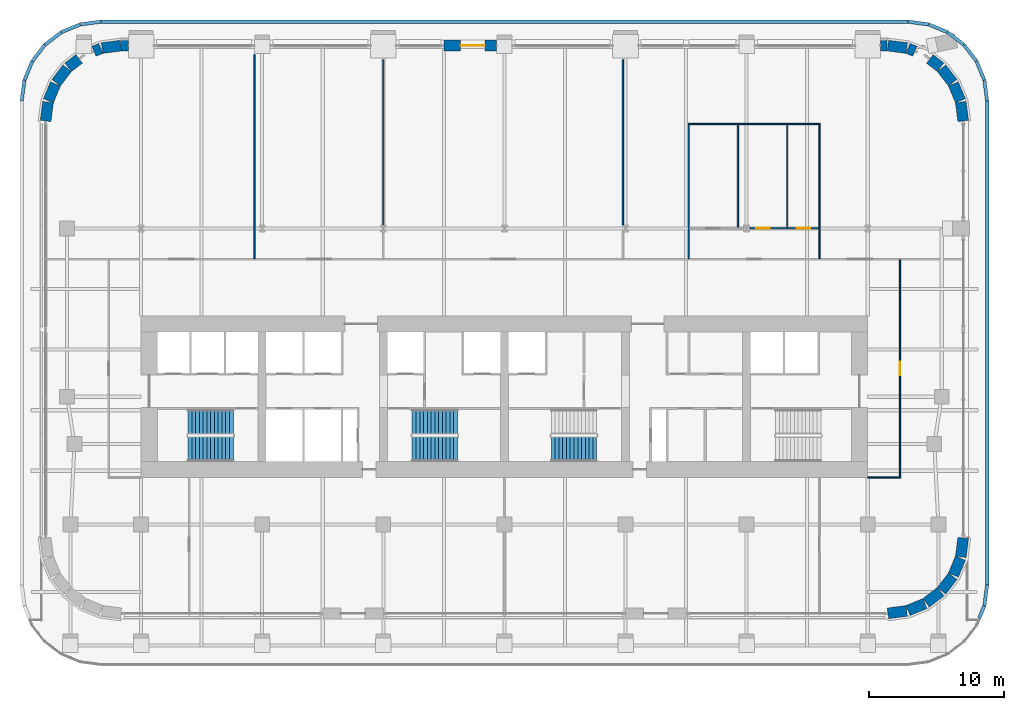
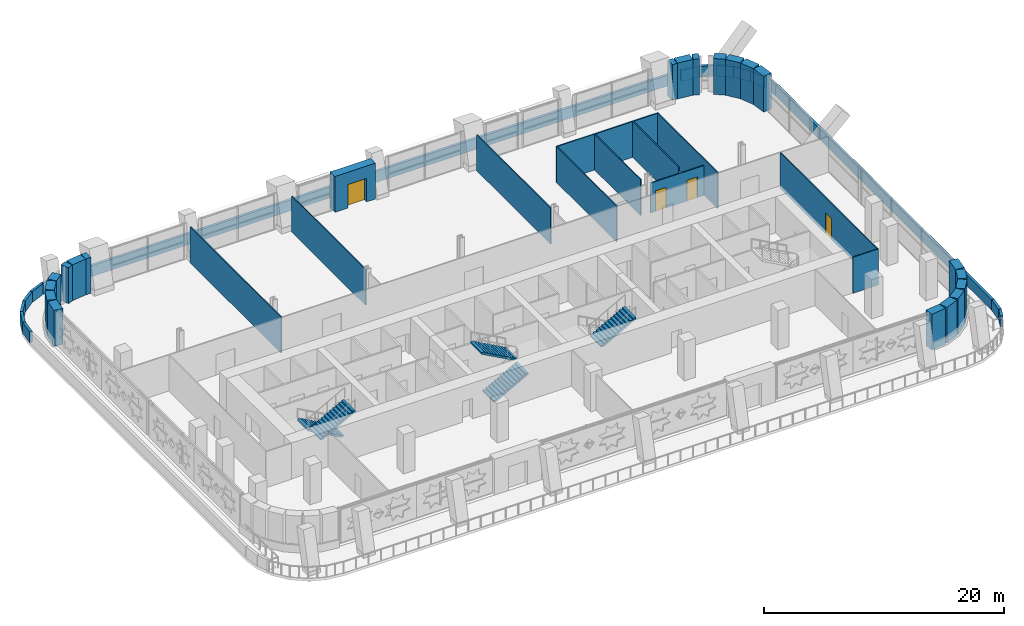
# One storey, part 17 of 26: 48 walls, 5 stair flights, 4 doors, 4 openings, 3 elements without a shape of their own.
"""IFC4 building model written with IfcOpenShell, lengths in metres."""

from ifc_helpers import new_model, si_unit, direction, frame, frame_2d, origin, place, context, subcontext, project, spatial, polyline, rectangle, outline, extrude, material, layer, layer_set, type_object, element, fill, aggregate, save


model = new_model("IFC4")

# Units and contexts
model_context = context("Model", 3, precision=1e-05, world=origin(), true_north=direction((0.0, 1.0)))
body_context = subcontext(model_context, "Body", "Model", "MODEL_VIEW")
ifc_project = project(units=[si_unit("LENGTHUNIT", "METRE"), si_unit("AREAUNIT", "SQUARE_METRE"), si_unit("VOLUMEUNIT", "CUBIC_METRE"), si_unit("PLANEANGLEUNIT", "RADIAN"), si_unit("MASSUNIT", "GRAM", prefix="KILO")], contexts=[model_context])

# Site, building, storey
site_placement = place(None, origin())
site = spatial("IfcSite", under=ifc_project, at=site_placement, CompositionType="ELEMENT")
building_placement = place(site_placement, origin())
building = spatial("IfcBuilding", under=site, at=building_placement, Name="Zellij Exchange Tower", CompositionType="ELEMENT")
storey_placement = place(building_placement, frame((0.0, 0.0, 100.5)))
storey = spatial("IfcBuildingStorey", under=building, at=storey_placement, Name="L21", CompositionType="ELEMENT", Elevation=100.5)

# Walls
ifc_material_1 = material(Name="Precast concrete C40/50", Category="concrete")
ifc_layer_1 = layer(ifc_material_1, 0.800048828125)
ifc_layer_set_1 = layer_set([ifc_layer_1], Name="Precast concrete C40/50")
wall_type_1 = type_object("IfcWallType", Name="ENV-EW1 Precast stone-piered wall 800", PredefinedType="SOLIDWALL", material=ifc_layer_set_1)
wall_1_placement = place(storey_placement, frame((28.499755859375, -24.0966796875, 0.0), z_axis=(0.0, 0.0, 1.0), x_axis=(0.99144603414, 0.130517283865, 0.0)))
element("IfcWall", 1, at=wall_1_placement, inside=storey, type_object=wall_type_1, Name="fac.L21.01", PredefinedType="SOLIDWALL", context=body_context, shape_type="SweptSolid", body=[
    extrude(rectangle(XDim=1.408447265625, YDim=0.800048828125, at=frame_2d((0.7041015625, 0.0))), origin(), (0.0, 0.0, 1.0), 3.64990234375),
])
wall_2_placement = place(storey_placement, frame((29.997314453125, -23.8857421875, 0.0), z_axis=(0.0, 0.0, 1.0), x_axis=(0.923847774587, 0.38276009378, 0.0)))
element("IfcWall", 2, at=wall_2_placement, inside=storey, type_object=wall_type_1, Name="fac.L21.02", PredefinedType="SOLIDWALL", context=body_context, shape_type="SweptSolid", body=[
    extrude(rectangle(XDim=1.35546875, YDim=0.800048828125, at=frame_2d((0.677734375, 0.0))), origin(), (0.0, 0.0, 1.0), 3.64990234375),
])
for number, where, z_axis, x_axis, name in (
    (3, (31.340087890625, -23.314697265625, 0.0), (0.0, 0.0, 1.0), (0.793272915452, 0.608866226366, 0.0), "fac.L21.03"),
    (4, (32.4892578125, -22.41552734375, 0.0), (0.0, 0.0, 1.0), (0.608866226366, 0.793272915452, 0.0), "fac.L21.04"),
):
    element("IfcWall", number, at=place(storey_placement, frame(where, z_axis=z_axis, x_axis=x_axis)), inside=storey, type_object=wall_type_1, Name=name, PredefinedType="SOLIDWALL", context=body_context, shape_type="SweptSolid", body=[
        extrude(rectangle(XDim=1.355712890625, YDim=0.800048828125, at=frame_2d((0.677734375, 0.0))), origin(), (0.0, 0.0, 1.0), 3.64990234375),
    ])
wall_3_placement = place(storey_placement, frame((33.366943359375, -21.24951171875, 0.0), z_axis=(0.0, 0.0, 1.0), x_axis=(0.38276009378, 0.923847774587, 0.0)))
element("IfcWall", 5, at=wall_3_placement, inside=storey, type_object=wall_type_1, Name="fac.L21.05", PredefinedType="SOLIDWALL", context=body_context, shape_type="SweptSolid", body=[
    extrude(rectangle(XDim=1.35546875, YDim=0.800048828125, at=frame_2d((0.677734375, 0.0))), origin(), (0.0, 0.0, 1.0), 3.64990234375),
])
for number, where, z_axis, x_axis, name in (
    (6, (33.912841796875, -19.896240234375, 0.0), (0.0, 0.0, 1.0), (0.130517283865, 0.99144603414, 0.0), "fac.L21.06"),
    (7, (34.0966796875, 12.499755859375, 0.0), (0.0, 0.0, 1.0), (-0.130517283865, 0.99144603414, 0.0), "fac.L21.08"),
):
    element("IfcWall", number, at=place(storey_placement, frame(where, z_axis=z_axis, x_axis=x_axis)), inside=storey, type_object=wall_type_1, Name=name, PredefinedType="SOLIDWALL", context=body_context, shape_type="SweptSolid", body=[
        extrude(rectangle(XDim=1.408447265625, YDim=0.800048828125, at=frame_2d((0.7041015625, 0.0))), origin(), (0.0, 0.0, 1.0), 3.64990234375),
    ])
wall_4_placement = place(storey_placement, frame((33.8857421875, 13.997314453125, 0.0), z_axis=(0.0, 0.0, 1.0), x_axis=(-0.38276009378, 0.923847774587, 0.0)))
element("IfcWall", 8, at=wall_4_placement, inside=storey, type_object=wall_type_1, Name="fac.L21.09", PredefinedType="SOLIDWALL", context=body_context, shape_type="SweptSolid", body=[
    extrude(rectangle(XDim=1.35546875, YDim=0.800048828125, at=frame_2d((0.677734375, 0.0))), origin(), (0.0, 0.0, 1.0), 3.64990234375),
])
wall_5_placement = place(storey_placement, frame((33.314697265625, 15.340087890625, 0.0), z_axis=(0.0, 0.0, 1.0), x_axis=(-0.608866226366, 0.793272915452, 0.0)))
element("IfcWall", 9, at=wall_5_placement, inside=storey, type_object=wall_type_1, Name="fac.L21.10", PredefinedType="SOLIDWALL", context=body_context, shape_type="SweptSolid", body=[
    extrude(rectangle(XDim=1.355712890625, YDim=0.800048828125, at=frame_2d((0.677734375, 0.0))), origin(), (0.0, 0.0, 1.0), 3.64990234375),
])
wall_6_placement = place(storey_placement, frame((32.41552734375, 16.4892578125, 0.0), z_axis=(0.0, 0.0, 1.0), x_axis=(-0.793206378566, 0.608952905406, 0.0)))
element("IfcWall", 10, at=wall_6_placement, inside=storey, type_object=wall_type_1, Name="fac.L21.11", PredefinedType="SOLIDWALL", context=body_context, shape_type="SweptSolid", body=[
    extrude(rectangle(XDim=1.01220703125, YDim=0.800048828125, at=frame_2d((0.506103515625, 0.0))), origin(), (0.0, 0.0, 1.0), 3.64990234375),
])
wall_7_placement = place(storey_placement, frame((30.500732421875, 17.677001953125, 0.0), z_axis=(0.0, 0.0, 1.0), x_axis=(-0.923738247693, 0.383024346158, 0.0)))
element("IfcWall", 11, at=wall_7_placement, inside=storey, type_object=wall_type_1, Name="fac.L21.12", PredefinedType="SOLIDWALL", context=body_context, shape_type="SweptSolid", body=[
    extrude(rectangle(XDim=0.544921875, YDim=0.800048828125, at=frame_2d((0.2724609375, 0.0))), origin(), (0.0, 0.0, 1.0), 3.64990234375),
])
wall_8_placement = place(storey_placement, frame((29.896240234375, 17.912841796875, 0.0), z_axis=(0.0, 0.0, 1.0), x_axis=(-0.99144603414, 0.130517283865, 0.0)))
element("IfcWall", 12, at=wall_8_placement, inside=storey, type_object=wall_type_1, Name="fac.L21.13", PredefinedType="SOLIDWALL", context=body_context, shape_type="SweptSolid", body=[
    extrude(rectangle(XDim=1.408447265625, YDim=0.800048828125, at=frame_2d((0.7041015625, 0.0))), origin(), (0.0, 0.0, 1.0), 3.64990234375),
])
wall_9_placement = place(storey_placement, frame((28.447509765625, 18.10009765625, 0.0), z_axis=(0.0, 0.0, 1.0), x_axis=(-1.0, 0.0, 0.0)))
element("IfcWall", 13, at=wall_9_placement, inside=storey, type_object=wall_type_1, Name="fac.L21.14a", PredefinedType="SOLIDWALL", context=body_context, shape_type="SweptSolid", body=[
    extrude(rectangle(XDim=0.49755859375, YDim=0.800048828125, at=frame_2d((0.248779296875, 0.0))), origin(), (0.0, 0.0, 1.0), 3.64990234375),
])

# Wall, opening, door
wall_10_placement = place(storey_placement, frame((-0.60009765625, 18.10009765625, 0.0), z_axis=(0.0, 0.0, 1.0), x_axis=(-1.0, 0.0, 0.0)))
wall_10 = element("IfcWall", 14, at=wall_10_placement, inside=storey, type_object=wall_type_1, Name="fac.L21.14f", PredefinedType="SOLIDWALL", context=body_context, shape_type="SweptSolid", body=[
    extrude(rectangle(XDim=3.89990234375, YDim=0.800048828125, at=frame_2d((1.949951171875, 0.0))), origin(), (0.0, 0.0, 1.0), 3.64990234375),
])
opening_1_placement = place(wall_10_placement, frame((0.85009765625, 0.0, 0.0)))
opening_1 = element("IfcOpeningElement", 15, at=opening_1_placement, cuts=wall_10, Name="Opening FT1.15", PredefinedType="OPENING", context=body_context, shape_type="SweptSolid", body=[
    extrude(rectangle(XDim=1.800048828125, YDim=2.39990234375, at=frame_2d((0.89990234375, 1.199951171875))), frame((0.0, 0.412109375, 0.0), z_axis=(0.0, -1.0, 0.0), x_axis=(1.0, 0.0, 0.0)), (0.0, 0.0, 1.0), 0.823974609375),
])
ifc_material_2 = material(Name="Aluminium and glass terrace door", Category="aluminium")
door_type_1 = type_object("IfcDoorType", Name="ENV-ED5 Terrace door 1800x2400", OperationType="DOUBLE_DOOR_SINGLE_SWING", PredefinedType="DOOR", material=ifc_material_2)
door_1_placement = place(opening_1_placement, origin())
door_1 = element("IfcDoor", 16, at=door_1_placement, inside=storey, type_object=door_type_1, Name="Terrace door FT1.15", OperationType="DOUBLE_DOOR_SINGLE_SWING", OverallHeight=2.39990234375, OverallWidth=1.800048828125, PredefinedType="DOOR", context=body_context, shape_type="SweptSolid", body=[
    extrude(rectangle(XDim=1.800048828125, YDim=2.39990234375, at=frame_2d((0.89990234375, 1.199951171875))), frame((0.0, 0.02490234375, 0.0), z_axis=(0.0, -1.0, 0.0), x_axis=(1.0, 0.0, 0.0)), (0.0, 0.0, 1.0), 0.050048828125),
])
fill(opening_1, door_1)

# Walls
wall_11_placement = place(storey_placement, frame((-27.949951171875, 18.10009765625, 0.0), z_axis=(0.0, 0.0, 1.0), x_axis=(-1.0, 0.0, 0.0)))
element("IfcWall", 17, at=wall_11_placement, inside=storey, type_object=wall_type_1, Name="fac.L21.14j", PredefinedType="SOLIDWALL", context=body_context, shape_type="SweptSolid", body=[
    extrude(rectangle(XDim=0.49755859375, YDim=0.800048828125, at=frame_2d((0.248779296875, 0.0))), origin(), (0.0, 0.0, 1.0), 3.64990234375),
])
wall_12_placement = place(storey_placement, frame((-28.499755859375, 18.0966796875, 0.0), z_axis=(0.0, 0.0, 1.0), x_axis=(-0.99144603414, -0.130517283865, 0.0)))
element("IfcWall", 18, at=wall_12_placement, inside=storey, type_object=wall_type_1, Name="fac.L21.15", PredefinedType="SOLIDWALL", context=body_context, shape_type="SweptSolid", body=[
    extrude(rectangle(XDim=1.408447265625, YDim=0.800048828125, at=frame_2d((0.7041015625, 0.0))), origin(), (0.0, 0.0, 1.0), 3.64990234375),
])
wall_13_placement = place(storey_placement, frame((-29.997314453125, 17.8857421875, 0.0), z_axis=(0.0, 0.0, 1.0), x_axis=(-0.923738247693, -0.383024346158, 0.0)))
element("IfcWall", 19, at=wall_13_placement, inside=storey, type_object=wall_type_1, Name="fac.L21.16", PredefinedType="SOLIDWALL", context=body_context, shape_type="SweptSolid", body=[
    extrude(rectangle(XDim=0.544921875, YDim=0.800048828125, at=frame_2d((0.2724609375, 0.0))), origin(), (0.0, 0.0, 1.0), 3.64990234375),
])
wall_14_placement = place(storey_placement, frame((-31.60400390625, 17.1123046875, 0.0), z_axis=(0.0, 0.0, 1.0), x_axis=(-0.793191379171, -0.608972442733, 0.0)))
element("IfcWall", 20, at=wall_14_placement, inside=storey, type_object=wall_type_1, Name="fac.L21.17", PredefinedType="SOLIDWALL", context=body_context, shape_type="SweptSolid", body=[
    extrude(rectangle(XDim=1.023193359375, YDim=0.800048828125, at=frame_2d((0.51171875, 0.0))), origin(), (0.0, 0.0, 1.0), 3.64990234375),
])
wall_15_placement = place(storey_placement, frame((-32.4892578125, 16.41552734375, 0.0), z_axis=(0.0, 0.0, 1.0), x_axis=(-0.608866226366, -0.793272915452, 0.0)))
element("IfcWall", 21, at=wall_15_placement, inside=storey, type_object=wall_type_1, Name="fac.L21.18", PredefinedType="SOLIDWALL", context=body_context, shape_type="SweptSolid", body=[
    extrude(rectangle(XDim=1.355712890625, YDim=0.800048828125, at=frame_2d((0.677734375, 0.0))), origin(), (0.0, 0.0, 1.0), 3.64990234375),
])
wall_16_placement = place(storey_placement, frame((-33.366943359375, 15.24951171875, 0.0), z_axis=(0.0, 0.0, 1.0), x_axis=(-0.38276009378, -0.923847774587, 0.0)))
element("IfcWall", 22, at=wall_16_placement, inside=storey, type_object=wall_type_1, Name="fac.L21.19", PredefinedType="SOLIDWALL", context=body_context, shape_type="SweptSolid", body=[
    extrude(rectangle(XDim=1.35546875, YDim=0.800048828125, at=frame_2d((0.677734375, 0.0))), origin(), (0.0, 0.0, 1.0), 3.64990234375),
])
wall_17_placement = place(storey_placement, frame((-33.912841796875, 13.896240234375, 0.0), z_axis=(0.0, 0.0, 1.0), x_axis=(-0.130517283865, -0.99144603414, 0.0)))
element("IfcWall", 23, at=wall_17_placement, inside=storey, type_object=wall_type_1, Name="fac.L21.20", PredefinedType="SOLIDWALL", context=body_context, shape_type="SweptSolid", body=[
    extrude(rectangle(XDim=1.408447265625, YDim=0.800048828125, at=frame_2d((0.7041015625, 0.0))), origin(), (0.0, 0.0, 1.0), 3.64990234375),
])
ifc_layer_2 = layer(ifc_material_1, 0.25)
ifc_layer_set_2 = layer_set([ifc_layer_2], Name="Precast concrete C40/50")
wall_type_2 = type_object("IfcWallType", Name="ENV-PR1 Parapet 250", PredefinedType="PARAPET", material=ifc_layer_set_2)
wall_18_placement = place(storey_placement, frame((35.287841796875, -24.4521484375, 0.0), z_axis=(0.0, 0.0, 1.0), x_axis=(0.382605320631, 0.923911883582, 0.0)))
element("IfcWall", 24, at=wall_18_placement, inside=storey, type_object=wall_type_2, Name="fac.par.L21.02.01.01", PredefinedType="PARAPET", context=body_context, shape_type="SweptSolid", body=[
    extrude(rectangle(XDim=0.9921875, YDim=0.25, at=frame_2d((0.49609375, 0.0))), origin(), (0.0, 0.0, 1.0), 1.10009765625),
])
wall_19_placement = place(storey_placement, frame((35.676025390625, -23.50390625, 0.0), z_axis=(0.0, 0.0, 1.0), x_axis=(0.130371242108, 0.991465248625, 0.0)))
element("IfcWall", 25, at=wall_19_placement, inside=storey, type_object=wall_type_2, Name="fac.par.L21.02.01.02", PredefinedType="PARAPET", context=body_context, shape_type="SweptSolid", body=[
    extrude(rectangle(XDim=1.516845703125, YDim=0.25, at=frame_2d((0.75830078125, 0.0))), origin(), (0.0, 0.0, 1.0), 1.10009765625),
])
wall_20_placement = place(storey_placement, frame((35.875, -21.983642578125, 0.0), z_axis=(0.0, 0.0, 1.0), x_axis=(0.0, 1.0, 0.0)))
element("IfcWall", 26, at=wall_20_placement, inside=storey, type_object=wall_type_2, Name="fac.par.L21.02.01.03", PredefinedType="PARAPET", context=body_context, shape_type="SweptSolid", body=[
    extrude(rectangle(XDim=35.96728515625, YDim=0.25, at=frame_2d((17.983642578125, 0.0))), origin(), (0.0, 0.0, 1.0), 1.10009765625),
])
wall_21_placement = place(storey_placement, frame((35.873779296875, 14.0, 0.0), z_axis=(0.0, 0.0, 1.0), x_axis=(-0.130371242108, 0.991465248625, 0.0)))
element("IfcWall", 27, at=wall_21_placement, inside=storey, type_object=wall_type_2, Name="fac.par.L21.02.01.04", PredefinedType="PARAPET", context=body_context, shape_type="SweptSolid", body=[
    extrude(rectangle(XDim=1.516845703125, YDim=0.25, at=frame_2d((0.75830078125, 0.0))), origin(), (0.0, 0.0, 1.0), 1.10009765625),
])
for number, where, z_axis, x_axis, name in (
    (28, (35.66748046875, 15.535400390625, 0.0), (0.0, 0.0, 1.0), (-0.382696680739, 0.923874044744, 0.0), "fac.par.L21.02.01.05"),
    (29, (35.076904296875, 16.949951171875, 0.0), (0.0, 0.0, 1.0), (-0.608711614562, 0.793391561776, 0.0), "fac.par.L21.02.01.06"),
    (30, (34.140380859375, 18.16357421875, 0.0), (0.0, 0.0, 1.0), (-0.793391561776, 0.608711614562, 0.0), "fac.par.L21.02.01.07"),
    (31, (32.921630859375, 19.09326171875, 0.0), (0.0, 0.0, 1.0), (-0.923874044744, 0.382696680739, 0.0), "fac.par.L21.02.01.08"),
):
    element("IfcWall", number, at=place(storey_placement, frame(where, z_axis=z_axis, x_axis=x_axis)), inside=storey, type_object=wall_type_2, Name=name, PredefinedType="PARAPET", context=body_context, shape_type="SweptSolid", body=[
        extrude(rectangle(XDim=1.50048828125, YDim=0.25, at=frame_2d((0.750244140625, 0.0))), origin(), (0.0, 0.0, 1.0), 1.10009765625),
    ])
wall_22_placement = place(storey_placement, frame((31.50390625, 19.676025390625, 0.0), z_axis=(0.0, 0.0, 1.0), x_axis=(-0.991465248625, 0.130371242108, 0.0)))
element("IfcWall", 32, at=wall_22_placement, inside=storey, type_object=wall_type_2, Name="fac.par.L21.02.01.09", PredefinedType="PARAPET", context=body_context, shape_type="SweptSolid", body=[
    extrude(rectangle(XDim=1.516845703125, YDim=0.25, at=frame_2d((0.75830078125, 0.0))), origin(), (0.0, 0.0, 1.0), 1.10009765625),
])
wall_23_placement = place(storey_placement, frame((29.983642578125, 19.875, 0.0), z_axis=(0.0, 0.0, 1.0), x_axis=(-1.0, 0.0, 0.0)))
element("IfcWall", 33, at=wall_23_placement, inside=storey, type_object=wall_type_2, Name="fac.par.L21.02.01.10", PredefinedType="PARAPET", context=body_context, shape_type="SweptSolid", body=[
    extrude(rectangle(XDim=59.96728515625, YDim=0.25, at=frame_2d((29.983642578125, 0.0))), origin(), (0.0, 0.0, 1.0), 1.10009765625),
])
wall_24_placement = place(storey_placement, frame((-30.0, 19.873779296875, 0.0), z_axis=(0.0, 0.0, 1.0), x_axis=(-0.991465248625, -0.130371242108, 0.0)))
element("IfcWall", 34, at=wall_24_placement, inside=storey, type_object=wall_type_2, Name="fac.par.L21.02.01.11", PredefinedType="PARAPET", context=body_context, shape_type="SweptSolid", body=[
    extrude(rectangle(XDim=1.516845703125, YDim=0.25, at=frame_2d((0.75830078125, 0.0))), origin(), (0.0, 0.0, 1.0), 1.10009765625),
])
for number, where, z_axis, x_axis, name in (
    (35, (-31.535400390625, 19.66748046875, 0.0), (0.0, 0.0, 1.0), (-0.923874044744, -0.382696680739, 0.0), "fac.par.L21.02.01.12"),
    (36, (-32.949951171875, 19.076904296875, 0.0), (0.0, 0.0, 1.0), (-0.793391561776, -0.608711614562, 0.0), "fac.par.L21.02.01.13"),
    (37, (-34.16357421875, 18.140380859375, 0.0), (0.0, 0.0, 1.0), (-0.608711614562, -0.793391561776, 0.0), "fac.par.L21.02.01.14"),
    (38, (-35.09326171875, 16.921630859375, 0.0), (0.0, 0.0, 1.0), (-0.382696680739, -0.923874044744, 0.0), "fac.par.L21.02.01.15"),
):
    element("IfcWall", number, at=place(storey_placement, frame(where, z_axis=z_axis, x_axis=x_axis)), inside=storey, type_object=wall_type_2, Name=name, PredefinedType="PARAPET", context=body_context, shape_type="SweptSolid", body=[
        extrude(rectangle(XDim=1.50048828125, YDim=0.25, at=frame_2d((0.750244140625, 0.0))), origin(), (0.0, 0.0, 1.0), 1.10009765625),
    ])
wall_25_placement = place(storey_placement, frame((-35.676025390625, 15.50390625, 0.0), z_axis=(0.0, 0.0, 1.0), x_axis=(-0.130371242108, -0.991465248625, 0.0)))
element("IfcWall", 39, at=wall_25_placement, inside=storey, type_object=wall_type_2, Name="fac.par.L21.02.01.16", PredefinedType="PARAPET", context=body_context, shape_type="SweptSolid", body=[
    extrude(rectangle(XDim=1.516845703125, YDim=0.25, at=frame_2d((0.75830078125, 0.0))), origin(), (0.0, 0.0, 1.0), 1.10009765625),
])
ifc_material_3 = material(Name="Gypsum board partition on steel studs", Category="steel")
ifc_layer_3 = layer(ifc_material_3, 0.10009765625)
ifc_layer_set_3 = layer_set([ifc_layer_3], Name="Gypsum board partition on steel studs")
wall_type_3 = type_object("IfcWallType", Name="FIT-PARTITION-100", PredefinedType="PARTITIONING", material=ifc_layer_set_3)
wall_26_placement = place(storey_placement, frame((27.0, -14.0, 0.0), z_axis=(0.0, 0.0, 1.0), x_axis=(1.0, 0.0, 0.0)))
element("IfcWall", 40, at=wall_26_placement, inside=storey, type_object=wall_type_3, Name="FIT-PARTITION-100 007", PredefinedType="PARTITIONING", context=body_context, shape_type="SweptSolid", body=[
    extrude(rectangle(XDim=2.449951171875, YDim=0.10009765625, at=frame_2d((1.22509765625, 0.0))), origin(), (0.0, 0.0, 1.0), 3.64990234375),
])

# Wall, opening, door
wall_27_placement = place(storey_placement, frame((29.39990234375, -13.949951171875, 0.0), z_axis=(0.0, 0.0, 1.0), x_axis=(0.0, 1.0, 0.0)))
wall_27 = element("IfcWall", 41, at=wall_27_placement, inside=storey, type_object=wall_type_3, Name="FIT-PARTITION-100 008", PredefinedType="PARTITIONING", context=body_context, shape_type="SweptSolid", body=[
    extrude(rectangle(XDim=16.119873046875, YDim=0.10009765625, at=frame_2d((8.06005859375, 0.0))), origin(), (0.0, 0.0, 1.0), 3.64990234375),
])
opening_2_placement = place(wall_27_placement, frame((7.550048828125, 0.0, 0.0)))
opening_2 = element("IfcOpeningElement", 42, at=opening_2_placement, cuts=wall_27, Name="Opening SL1.04", PredefinedType="OPENING", context=body_context, shape_type="SweptSolid", body=[
    extrude(rectangle(XDim=1.0, YDim=2.10009765625, at=frame_2d((0.5, 1.050048828125))), frame((0.0, 0.06201171875, 0.0), z_axis=(0.0, -1.0, 0.0), x_axis=(1.0, 0.0, 0.0)), (0.0, 0.0, 1.0), 0.1240234375),
])
ifc_material_4 = material(Name="Timber door set", Category="wood")
door_type_2 = type_object("IfcDoorType", Name="FIT-D2-WIDE-1000X2100", OperationType="SINGLE_SWING_LEFT", PredefinedType="DOOR", material=ifc_material_4)
door_2_placement = place(opening_2_placement, origin())
door_2 = element("IfcDoor", 43, at=door_2_placement, inside=storey, type_object=door_type_2, Name="Door SL1.04", OperationType="SINGLE_SWING_LEFT", OverallHeight=2.10009765625, OverallWidth=1.0, PredefinedType="DOOR", context=body_context, shape_type="SweptSolid", body=[
    extrude(rectangle(XDim=1.0, YDim=2.10009765625, at=frame_2d((0.5, 1.050048828125))), frame((0.0, 0.02490234375, 0.0), z_axis=(0.0, -1.0, 0.0), x_axis=(1.0, 0.0, 0.0)), (0.0, 0.0, 1.0), 0.050048828125),
])
fill(opening_2, door_2)

# Walls
wall_28_placement = place(storey_placement, frame((-18.56005859375, 2.27001953125, 0.0), z_axis=(0.0, 0.0, 1.0), x_axis=(0.0, 1.0, 0.0)))
element("IfcWall", 44, at=wall_28_placement, inside=storey, type_object=wall_type_3, Name="FIT-PARTITION-100 010", PredefinedType="PARTITIONING", context=body_context, shape_type="SweptSolid", body=[
    extrude(rectangle(XDim=15.1298828125, YDim=0.10009765625, at=frame_2d((7.56494140625, 0.0))), origin(), (0.0, 0.0, 1.0), 3.64990234375),
])
for number, where, z_axis, x_axis, name in (
    (45, (-9.0, 4.7490234375, 0.0), (0.0, 0.0, 1.0), (0.0, 1.0, 0.0), "FIT-PARTITION-100 012"),
    (46, (8.800048828125, 4.7490234375, 0.0), (0.0, 0.0, 1.0), (0.0, 1.0, 0.0), "FIT-PARTITION-100 014"),
):
    element("IfcWall", number, at=place(storey_placement, frame(where, z_axis=z_axis, x_axis=x_axis)), inside=storey, type_object=wall_type_3, Name=name, PredefinedType="PARTITIONING", context=body_context, shape_type="SweptSolid", body=[
        extrude(rectangle(XDim=12.301025390625, YDim=0.10009765625, at=frame_2d((6.150390625, 0.0))), origin(), (0.0, 0.0, 1.0), 3.64990234375),
    ])
for number, where, z_axis, x_axis, name in (
    (47, (13.699951171875, 2.27001953125, 0.0), (0.0, 0.0, 1.0), (0.0, 1.0, 0.0), "FIT-PARTITION-100 015"),
    (48, (23.419921875, 2.27001953125, 0.0), (0.0, 0.0, 1.0), (0.0, 1.0, 0.0), "FIT-PARTITION-100 016"),
):
    element("IfcWall", number, at=place(storey_placement, frame(where, z_axis=z_axis, x_axis=x_axis)), inside=storey, type_object=wall_type_3, Name=name, PredefinedType="PARTITIONING", context=body_context, shape_type="SweptSolid", body=[
        extrude(rectangle(XDim=9.949951171875, YDim=0.10009765625, at=frame_2d((4.97509765625, 0.0))), origin(), (0.0, 0.0, 1.0), 3.64990234375),
    ])

# Wall, openings, doors
wall_29_placement = place(storey_placement, frame((18.2158203125, 4.52001953125, 0.0), z_axis=(0.0, 0.0, 1.0), x_axis=(1.0, 0.0, 0.0)))
wall_29 = element("IfcWall", 49, at=wall_29_placement, inside=storey, type_object=wall_type_3, Name="FIT-PARTITION-100 018", PredefinedType="PARTITIONING", context=body_context, shape_type="SweptSolid", body=[
    extrude(rectangle(XDim=5.154296875, YDim=0.10009765625, at=frame_2d((2.5771484375, 0.0))), origin(), (0.0, 0.0, 1.0), 3.0380859375),
])
opening_3_placement = place(wall_29_placement, frame((0.484130859375, 0.0, 0.0)))
opening_3 = element("IfcOpeningElement", 50, at=opening_3_placement, cuts=wall_29, Name="Opening SL1.11", PredefinedType="OPENING", context=body_context, shape_type="SweptSolid", body=[
    extrude(rectangle(XDim=1.0, YDim=2.10009765625, at=frame_2d((0.5, 1.050048828125))), frame((0.0, 0.06201171875, 0.0), z_axis=(0.0, -1.0, 0.0), x_axis=(1.0, 0.0, 0.0)), (0.0, 0.0, 1.0), 0.1240234375),
])
opening_4_placement = place(wall_29_placement, frame((3.504150390625, 0.0, 0.0)))
opening_4 = element("IfcOpeningElement", 51, at=opening_4_placement, cuts=wall_29, Name="Opening SL1.12", PredefinedType="OPENING", context=body_context, shape_type="SweptSolid", body=[
    extrude(rectangle(XDim=1.0, YDim=2.10009765625, at=frame_2d((0.5, 1.050048828125))), frame((0.0, 0.06201171875, 0.0), z_axis=(0.0, -1.0, 0.0), x_axis=(1.0, 0.0, 0.0)), (0.0, 0.0, 1.0), 0.1240234375),
])
door_3_placement = place(opening_3_placement, origin())
door_3 = element("IfcDoor", 52, at=door_3_placement, inside=storey, type_object=door_type_2, Name="Door SL1.11", OperationType="SINGLE_SWING_LEFT", OverallHeight=2.10009765625, OverallWidth=1.0, PredefinedType="DOOR", context=body_context, shape_type="SweptSolid", body=[
    extrude(rectangle(XDim=1.0, YDim=2.10009765625, at=frame_2d((0.5, 1.050048828125))), frame((0.0, 0.02490234375, 0.0), z_axis=(0.0, -1.0, 0.0), x_axis=(1.0, 0.0, 0.0)), (0.0, 0.0, 1.0), 0.050048828125),
])
fill(opening_3, door_3)
door_4_placement = place(opening_4_placement, origin())
door_4 = element("IfcDoor", 53, at=door_4_placement, inside=storey, type_object=door_type_2, Name="Door SL1.12", OperationType="SINGLE_SWING_RIGHT", OverallHeight=2.10009765625, OverallWidth=1.0, PredefinedType="DOOR", context=body_context, shape_type="SweptSolid", body=[
    extrude(rectangle(XDim=1.0, YDim=2.10009765625, at=frame_2d((0.5, 1.050048828125))), frame((0.0, 0.02490234375, 0.0), z_axis=(0.0, -1.0, 0.0), x_axis=(1.0, 0.0, 0.0)), (0.0, 0.0, 1.0), 0.050048828125),
])
fill(opening_4, door_4)

# Walls
for number, where, z_axis, x_axis, name in (
    (54, (17.35009765625, 4.570068359375, 0.0), (0.0, 0.0, 1.0), (0.0, 1.0, 0.0), "FIT-PARTITION-100 019"),
    (55, (21.02001953125, 4.570068359375, 0.0), (0.0, 0.0, 1.0), (0.0, 1.0, 0.0), "FIT-PARTITION-100 020"),
):
    element("IfcWall", number, at=place(storey_placement, frame(where, z_axis=z_axis, x_axis=x_axis)), inside=storey, type_object=wall_type_3, Name=name, PredefinedType="PARTITIONING", context=body_context, shape_type="SweptSolid", body=[
        extrude(rectangle(XDim=7.64990234375, YDim=0.10009765625, at=frame_2d((3.824951171875, 0.0))), origin(), (0.0, 0.0, 1.0), 3.64990234375),
    ])
wall_30_placement = place(storey_placement, frame((13.64990234375, 12.27001953125, 0.0), z_axis=(0.0, 0.0, 1.0), x_axis=(1.0, 0.0, 0.0)))
element("IfcWall", 56, at=wall_30_placement, inside=storey, type_object=wall_type_3, Name="FIT-PARTITION-100 021", PredefinedType="PARTITIONING", context=body_context, shape_type="SweptSolid", body=[
    extrude(rectangle(XDim=9.820068359375, YDim=0.10009765625, at=frame_2d((4.91015625, 0.0))), origin(), (0.0, 0.0, 1.0), 3.64990234375),
])

# Stair, stair flights
ifc_material_5 = material(Name="Concrete C40/50", Category="concrete")
stair_type = type_object("IfcStairType", Name="CORE-ST exit stair 1850 wide", PredefinedType="HALF_TURN_STAIR", material=ifc_material_5)
stair_1_placement = place(storey_placement, origin())
stair_1 = element("IfcStair", 57, at=stair_1_placement, inside=storey, type_object=stair_type, Name="L21 exit stair ST1", PredefinedType="HALF_TURN_STAIR")
stair_flight_type = type_object("IfcStairFlightType", Name="CORE-SF flight 1850 riser 153.8 going 280", PredefinedType="STRAIGHT", material=ifc_material_5)
stair_flight_1_placement = place(storey_placement, frame((-20.14990234375, -9.875, 0.0), z_axis=(0.0, 0.0, 1.0), x_axis=(-1.0, 0.0, 0.0)))
stair_flight_1 = element("IfcStairFlight", 58, at=stair_flight_1_placement, type_object=stair_flight_type, Name="ST1 flight 1", NumberOfRisers=13, NumberOfTreads=12, PredefinedType="STRAIGHT", RiserHeight=0.153846154, TreadLength=0.28, context=body_context, shape_type="SweptSolid", body=[
    extrude(outline(polyline([(0.0, 0.0), (0.0, 0.15380859375), (0.280029296875, 0.15380859375), (0.280029296875, 0.3076171875), (0.56005859375, 0.3076171875), (0.56005859375, 0.46142578125), (0.840087890625, 0.46142578125), (0.840087890625, 0.615478515625), (1.1201171875, 0.615478515625), (1.1201171875, 0.769287109375), (1.39990234375, 0.769287109375), (1.39990234375, 0.923095703125), (1.679931640625, 0.923095703125), (1.679931640625, 1.076904296875), (1.9599609375, 1.076904296875), (1.9599609375, 1.230712890625), (2.239990234375, 1.230712890625), (2.239990234375, 1.384521484375), (2.52001953125, 1.384521484375), (2.52001953125, 1.53857421875), (2.800048828125, 1.53857421875), (2.800048828125, 1.6923828125), (3.080078125, 1.6923828125), (3.080078125, 1.84619140625), (3.360107421875, 1.84619140625), (3.360107421875, 2.0), (3.360107421875, 1.675048828125), (0.311279296875, 0.0), (0.0, 0.0)])), frame((0.0, 0.925048828125, 0.0), z_axis=(0.0, -1.0, 0.0), x_axis=(1.0, 0.0, 0.0)), (0.0, 0.0, 1.0), 1.85009765625),
])
stair_flight_2_placement = place(storey_placement, frame((-23.510009765625, -11.875, 2.0), z_axis=(0.0, 0.0, 1.0), x_axis=(1.0, 0.0, 0.0)))
stair_flight_2 = element("IfcStairFlight", 59, at=stair_flight_2_placement, type_object=stair_flight_type, Name="ST1 flight 2", NumberOfRisers=13, NumberOfTreads=12, PredefinedType="STRAIGHT", RiserHeight=0.153846154, TreadLength=0.28, context=body_context, shape_type="SweptSolid", body=[
    extrude(outline(polyline([(0.0, 0.0), (0.0, 0.15380859375), (0.280029296875, 0.15380859375), (0.280029296875, 0.3076171875), (0.56005859375, 0.3076171875), (0.56005859375, 0.46142578125), (0.840087890625, 0.46142578125), (0.840087890625, 0.615478515625), (1.1201171875, 0.615478515625), (1.1201171875, 0.769287109375), (1.39990234375, 0.769287109375), (1.39990234375, 0.923095703125), (1.679931640625, 0.923095703125), (1.679931640625, 1.076904296875), (1.9599609375, 1.076904296875), (1.9599609375, 1.230712890625), (2.239990234375, 1.230712890625), (2.239990234375, 1.384521484375), (2.52001953125, 1.384521484375), (2.52001953125, 1.53857421875), (2.800048828125, 1.53857421875), (2.800048828125, 1.6923828125), (3.080078125, 1.6923828125), (3.080078125, 1.84619140625), (3.360107421875, 1.84619140625), (3.360107421875, 2.0), (3.360107421875, 1.675048828125), (0.311279296875, 0.0), (0.0, 0.0)])), frame((0.0, 0.925048828125, 0.0), z_axis=(0.0, -1.0, 0.0), x_axis=(1.0, 0.0, 0.0)), (0.0, 0.0, 1.0), 1.85009765625),
])
aggregate(stair_1, [stair_flight_1, stair_flight_2])

stair_2_placement = place(storey_placement, origin())
stair_2 = element("IfcStair", 60, at=stair_2_placement, inside=storey, type_object=stair_type, Name="L21 exit stair ST2", PredefinedType="HALF_TURN_STAIR")
stair_flight_3_placement = place(storey_placement, frame((-6.85009765625, -11.875, 0.0), z_axis=(0.0, 0.0, 1.0), x_axis=(1.0, 0.0, 0.0)))
stair_flight_3 = element("IfcStairFlight", 61, at=stair_flight_3_placement, type_object=stair_flight_type, Name="ST2 flight 1", NumberOfRisers=13, NumberOfTreads=12, PredefinedType="STRAIGHT", RiserHeight=0.153846154, TreadLength=0.28, context=body_context, shape_type="SweptSolid", body=[
    extrude(outline(polyline([(0.0, 0.0), (0.0, 0.15380859375), (0.280029296875, 0.15380859375), (0.280029296875, 0.3076171875), (0.56005859375, 0.3076171875), (0.56005859375, 0.46142578125), (0.840087890625, 0.46142578125), (0.840087890625, 0.615478515625), (1.1201171875, 0.615478515625), (1.1201171875, 0.769287109375), (1.39990234375, 0.769287109375), (1.39990234375, 0.923095703125), (1.679931640625, 0.923095703125), (1.679931640625, 1.076904296875), (1.9599609375, 1.076904296875), (1.9599609375, 1.230712890625), (2.239990234375, 1.230712890625), (2.239990234375, 1.384521484375), (2.52001953125, 1.384521484375), (2.52001953125, 1.53857421875), (2.800048828125, 1.53857421875), (2.800048828125, 1.6923828125), (3.080078125, 1.6923828125), (3.080078125, 1.84619140625), (3.360107421875, 1.84619140625), (3.360107421875, 2.0), (3.360107421875, 1.675048828125), (0.311279296875, 0.0), (0.0, 0.0)])), frame((0.0, 0.925048828125, 0.0), z_axis=(0.0, -1.0, 0.0), x_axis=(1.0, 0.0, 0.0)), (0.0, 0.0, 1.0), 1.85009765625),
])
stair_flight_4_placement = place(storey_placement, frame((-3.489990234375, -9.875, 2.0), z_axis=(0.0, 0.0, 1.0), x_axis=(-1.0, 0.0, 0.0)))
stair_flight_4 = element("IfcStairFlight", 62, at=stair_flight_4_placement, type_object=stair_flight_type, Name="ST2 flight 2", NumberOfRisers=13, NumberOfTreads=12, PredefinedType="STRAIGHT", RiserHeight=0.153846154, TreadLength=0.28, context=body_context, shape_type="SweptSolid", body=[
    extrude(outline(polyline([(0.0, 0.0), (0.0, 0.15380859375), (0.280029296875, 0.15380859375), (0.280029296875, 0.3076171875), (0.56005859375, 0.3076171875), (0.56005859375, 0.46142578125), (0.840087890625, 0.46142578125), (0.840087890625, 0.615478515625), (1.1201171875, 0.615478515625), (1.1201171875, 0.769287109375), (1.39990234375, 0.769287109375), (1.39990234375, 0.923095703125), (1.679931640625, 0.923095703125), (1.679931640625, 1.076904296875), (1.9599609375, 1.076904296875), (1.9599609375, 1.230712890625), (2.239990234375, 1.230712890625), (2.239990234375, 1.384521484375), (2.52001953125, 1.384521484375), (2.52001953125, 1.53857421875), (2.800048828125, 1.53857421875), (2.800048828125, 1.6923828125), (3.080078125, 1.6923828125), (3.080078125, 1.84619140625), (3.360107421875, 1.84619140625), (3.360107421875, 2.0), (3.360107421875, 1.675048828125), (0.311279296875, 0.0), (0.0, 0.0)])), frame((0.0, 0.925048828125, 0.0), z_axis=(0.0, -1.0, 0.0), x_axis=(1.0, 0.0, 0.0)), (0.0, 0.0, 1.0), 1.85009765625),
])
aggregate(stair_2, [stair_flight_3, stair_flight_4])

# Stair, stair flight
stair_3_placement = place(storey_placement, origin())
stair_3 = element("IfcStair", 63, at=stair_3_placement, inside=storey, type_object=stair_type, Name="L21 exit stair ST3", PredefinedType="HALF_TURN_STAIR")
stair_flight_5_placement = place(storey_placement, frame((3.489990234375, -11.875, 2.0), z_axis=(0.0, 0.0, 1.0), x_axis=(1.0, 0.0, 0.0)))
stair_flight_5 = element("IfcStairFlight", 64, at=stair_flight_5_placement, type_object=stair_flight_type, Name="ST3 flight 2", NumberOfRisers=13, NumberOfTreads=12, PredefinedType="STRAIGHT", RiserHeight=0.153846154, TreadLength=0.28, context=body_context, shape_type="SweptSolid", body=[
    extrude(outline(polyline([(0.0, 0.0), (0.0, 0.15380859375), (0.280029296875, 0.15380859375), (0.280029296875, 0.3076171875), (0.56005859375, 0.3076171875), (0.56005859375, 0.46142578125), (0.840087890625, 0.46142578125), (0.840087890625, 0.615478515625), (1.1201171875, 0.615478515625), (1.1201171875, 0.769287109375), (1.39990234375, 0.769287109375), (1.39990234375, 0.923095703125), (1.679931640625, 0.923095703125), (1.679931640625, 1.076904296875), (1.9599609375, 1.076904296875), (1.9599609375, 1.230712890625), (2.239990234375, 1.230712890625), (2.239990234375, 1.384521484375), (2.52001953125, 1.384521484375), (2.52001953125, 1.53857421875), (2.800048828125, 1.53857421875), (2.800048828125, 1.6923828125), (3.080078125, 1.6923828125), (3.080078125, 1.84619140625), (3.360107421875, 1.84619140625), (3.360107421875, 2.0), (3.360107421875, 1.675048828125), (0.311279296875, 0.0), (0.0, 0.0)])), frame((0.0, 0.925048828125, 0.0), z_axis=(0.0, -1.0, 0.0), x_axis=(1.0, 0.0, 0.0)), (0.0, 0.0, 1.0), 1.85009765625),
])
aggregate(stair_3, [stair_flight_5])

save(model, "model.ifc")
